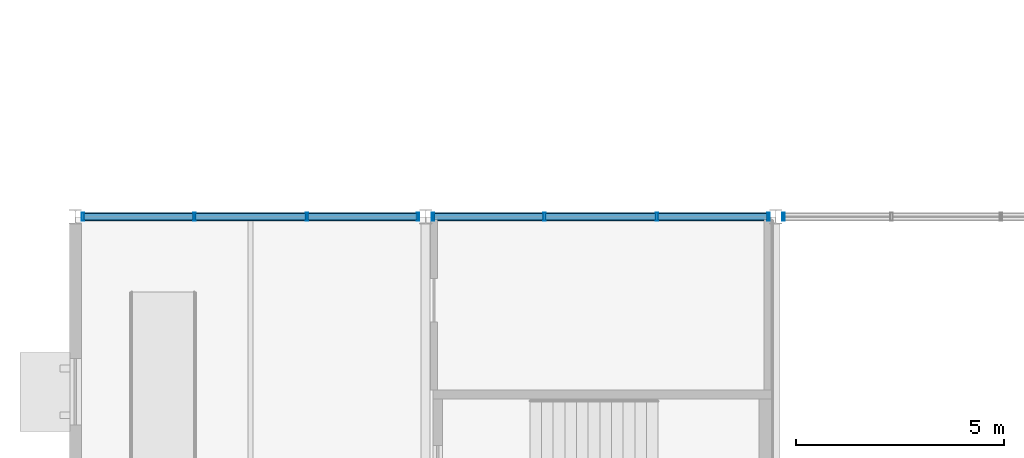
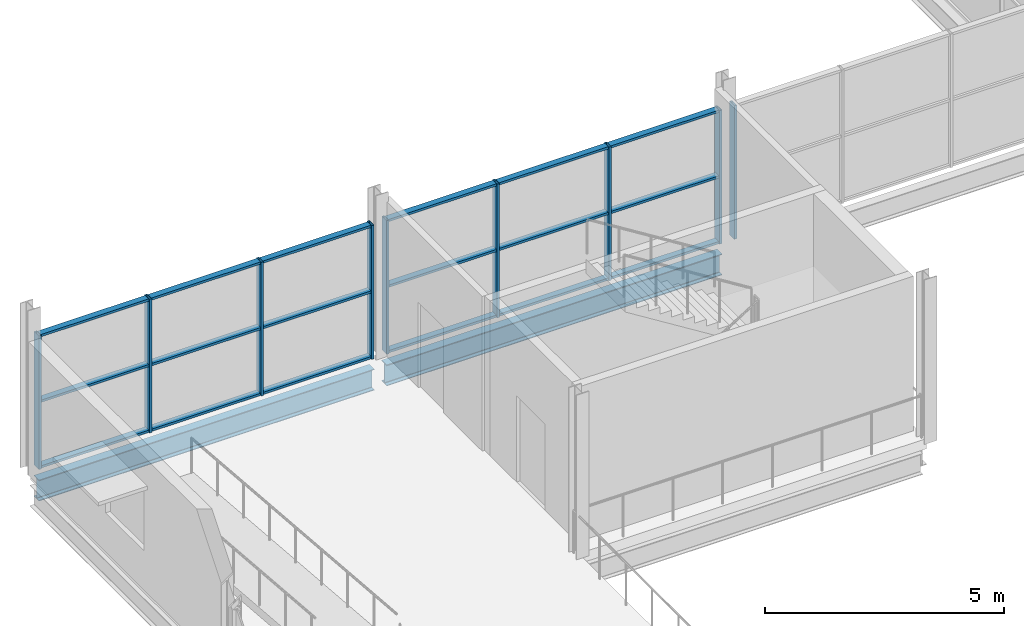
# One storey, part 34 of 93: 27 members, 2 beams, 3 elements without a shape of their own.
"""IFC4 building model written with IfcOpenShell, lengths in metres."""

from ifc_helpers import new_model, si_unit, direction, frame, origin, origin_2d, place, context, subcontext, project, spatial, hollow_rectangle, i_section, extrude, material, material_profile, profile_set, type_object, element, aggregate, save


model = new_model("IFC4")

# Units and contexts
model_context = context("Model", 3, precision=1e-05, world=origin(), true_north=direction((0.0, 1.0)))
body_context = subcontext(model_context, "Body", "Model", "MODEL_VIEW")
ifc_project = project(units=[si_unit("LENGTHUNIT", "METRE"), si_unit("AREAUNIT", "SQUARE_METRE"), si_unit("VOLUMEUNIT", "CUBIC_METRE"), si_unit("PLANEANGLEUNIT", "RADIAN"), si_unit("MASSUNIT", "GRAM", prefix="KILO"), si_unit("THERMODYNAMICTEMPERATUREUNIT", "KELVIN")], contexts=[model_context])

# Site, building, storey
site_placement = place(None, origin())
site = spatial("IfcSite", under=ifc_project, at=site_placement, CompositionType="ELEMENT")
building_placement = place(site_placement, origin())
building = spatial("IfcBuilding", under=site, at=building_placement, Name="Nduvali Passage Aquatics Centre", CompositionType="ELEMENT")
storey_placement = place(building_placement, frame((0.0, 0.0, 9.0)))
storey = spatial("IfcBuildingStorey", under=building, at=storey_placement, Name="L02", CompositionType="ELEMENT", Elevation=9.0)

# Curtain wall, members
ifc_material_1 = material(Name="Aluminium EN AW-6063 T6", Category="aluminium")
curtain_wall_type = type_object("IfcCurtainWallType", Name="ENV-CW-DIVE", PredefinedType="NOTDEFINED", material=ifc_material_1)
curtain_wall_1_placement = place(storey_placement, origin())
curtain_wall_1 = element("IfcCurtainWall", 1, at=curtain_wall_1_placement, inside=storey, type_object=curtain_wall_type, Name="L02 Diving Side Clerestory CW 156", PredefinedType="NOTDEFINED")
ifc_material_profile_1 = material_profile(ifc_material_1, hollow_rectangle(XDim=0.06005859375, YDim=0.199951171875, WallThickness=0.00390625, at=origin_2d()), Name="ALU MULLION 60x200x4")
ifc_profile_set_1 = profile_set([ifc_material_profile_1], Name="Aluminium EN AW-6063 T6")
member_type_1 = type_object("IfcMemberType", Name="ENV-MEM-MUL80", PredefinedType="MULLION", material=ifc_profile_set_1)
member_1_placement = place(storey_placement, frame((0.179931640625, 84.0, 0.0), z_axis=(0.0, 0.0, 1.0), x_axis=(1.0, 0.0, 0.0)))
member_1 = element("IfcMember", 2, at=member_1_placement, type_object=member_type_1, Name="Diving Side Clerestory CW Mullion 1", PredefinedType="MULLION", context=body_context, shape_type="SweptSolid", body=[
    extrude(hollow_rectangle(XDim=0.06005859375, YDim=0.199951171875, WallThickness=0.00390625, at=origin_2d()), origin(), (0.0, 0.0, 1.0), 3.412841796875),
])
member_2_placement = place(storey_placement, frame((2.85009765625, 84.0, 0.0), z_axis=(0.0, 0.0, 1.0), x_axis=(1.0, 0.0, 0.0)))
member_2 = element("IfcMember", 3, at=member_2_placement, type_object=member_type_1, Name="Diving Side Clerestory CW Mullion 2", PredefinedType="MULLION", context=body_context, shape_type="SweptSolid", body=[
    extrude(hollow_rectangle(XDim=0.06005859375, YDim=0.199951171875, WallThickness=0.00390625, at=origin_2d()), origin(), (0.0, 0.0, 1.0), 3.412841796875),
])
member_3_placement = place(storey_placement, frame((5.550048828125, 84.0, 0.0), z_axis=(0.0, 0.0, 1.0), x_axis=(1.0, 0.0, 0.0)))
member_3 = element("IfcMember", 4, at=member_3_placement, type_object=member_type_1, Name="Diving Side Clerestory CW Mullion 3", PredefinedType="MULLION", context=body_context, shape_type="SweptSolid", body=[
    extrude(hollow_rectangle(XDim=0.06005859375, YDim=0.199951171875, WallThickness=0.00390625, at=origin_2d()), origin(), (0.0, 0.0, 1.0), 3.412841796875),
])
member_4_placement = place(storey_placement, frame((8.219970703125, 84.0, 0.0), z_axis=(0.0, 0.0, 1.0), x_axis=(1.0, 0.0, 0.0)))
member_4 = element("IfcMember", 5, at=member_4_placement, type_object=member_type_1, Name="Diving Side Clerestory CW Mullion 4", PredefinedType="MULLION", context=body_context, shape_type="SweptSolid", body=[
    extrude(hollow_rectangle(XDim=0.06005859375, YDim=0.199951171875, WallThickness=0.00390625, at=origin_2d()), origin(), (0.0, 0.0, 1.0), 3.412841796875),
])

curtain_wall_2_placement = place(storey_placement, origin())
curtain_wall_2 = element("IfcCurtainWall", 6, at=curtain_wall_2_placement, inside=storey, type_object=curtain_wall_type, Name="L02 Diving Side Clerestory CW 158", PredefinedType="NOTDEFINED")
member_5_placement = place(storey_placement, frame((8.580078125, 84.0, 0.0), z_axis=(0.0, 0.0, 1.0), x_axis=(1.0, 0.0, 0.0)))
member_5 = element("IfcMember", 7, at=member_5_placement, type_object=member_type_1, Name="Diving Side Clerestory CW Mullion 1", PredefinedType="MULLION", context=body_context, shape_type="SweptSolid", body=[
    extrude(hollow_rectangle(XDim=0.06005859375, YDim=0.199951171875, WallThickness=0.00390625, at=origin_2d()), origin(), (0.0, 0.0, 1.0), 3.412841796875),
])
member_6_placement = place(storey_placement, frame((11.25, 84.0, 0.0), z_axis=(0.0, 0.0, 1.0), x_axis=(1.0, 0.0, 0.0)))
member_6 = element("IfcMember", 8, at=member_6_placement, type_object=member_type_1, Name="Diving Side Clerestory CW Mullion 2", PredefinedType="MULLION", context=body_context, shape_type="SweptSolid", body=[
    extrude(hollow_rectangle(XDim=0.06005859375, YDim=0.199951171875, WallThickness=0.00390625, at=origin_2d()), origin(), (0.0, 0.0, 1.0), 3.412841796875),
])
member_7_placement = place(storey_placement, frame((13.949951171875, 84.0, 0.0), z_axis=(0.0, 0.0, 1.0), x_axis=(1.0, 0.0, 0.0)))
member_7 = element("IfcMember", 9, at=member_7_placement, type_object=member_type_1, Name="Diving Side Clerestory CW Mullion 3", PredefinedType="MULLION", context=body_context, shape_type="SweptSolid", body=[
    extrude(hollow_rectangle(XDim=0.06005859375, YDim=0.199951171875, WallThickness=0.00390625, at=origin_2d()), origin(), (0.0, 0.0, 1.0), 3.412841796875),
])
member_8_placement = place(storey_placement, frame((16.6201171875, 84.0, 0.0), z_axis=(0.0, 0.0, 1.0), x_axis=(1.0, 0.0, 0.0)))
member_8 = element("IfcMember", 10, at=member_8_placement, type_object=member_type_1, Name="Diving Side Clerestory CW Mullion 4", PredefinedType="MULLION", context=body_context, shape_type="SweptSolid", body=[
    extrude(hollow_rectangle(XDim=0.06005859375, YDim=0.199951171875, WallThickness=0.00390625, at=origin_2d()), origin(), (0.0, 0.0, 1.0), 3.412841796875),
])

# Curtain wall, member
curtain_wall_3_placement = place(storey_placement, origin())
curtain_wall_3 = element("IfcCurtainWall", 11, at=curtain_wall_3_placement, inside=storey, type_object=curtain_wall_type, Name="L02 Diving Side Clerestory CW 160", PredefinedType="NOTDEFINED")
member_9_placement = place(storey_placement, frame((16.97998046875, 84.0, 0.0), z_axis=(0.0, 0.0, 1.0), x_axis=(1.0, 0.0, 0.0)))
member_9 = element("IfcMember", 12, at=member_9_placement, type_object=member_type_1, Name="Diving Side Clerestory CW Mullion 1", PredefinedType="MULLION", context=body_context, shape_type="SweptSolid", body=[
    extrude(hollow_rectangle(XDim=0.06005859375, YDim=0.199951171875, WallThickness=0.00390625, at=origin_2d()), origin(), (0.0, 0.0, 1.0), 3.412841796875),
])
aggregate(curtain_wall_3, [member_9])

# Member
ifc_material_profile_2 = material_profile(ifc_material_1, hollow_rectangle(XDim=0.14990234375, YDim=0.06005859375, WallThickness=0.00390625, at=origin_2d()), Name="ALU TRANSOM 150x60x4")
ifc_profile_set_2 = profile_set([ifc_material_profile_2], Name="Aluminium EN AW-6063 T6")
member_type_2 = type_object("IfcMemberType", Name="ENV-MEM-TRN80", PredefinedType="USERDEFINED", material=ifc_profile_set_2)
member_10_placement = place(storey_placement, frame((0.2099609375, 84.0, 0.030029296875), z_axis=(1.0, 0.0, 0.0), x_axis=(0.0, 1.0, 0.0)))
member_10 = element("IfcMember", 13, at=member_10_placement, type_object=member_type_2, Name="Diving Side Clerestory CW Transom B1-R0", ObjectType="TRANSOM", PredefinedType="USERDEFINED", context=body_context, shape_type="SweptSolid", body=[
    extrude(hollow_rectangle(XDim=0.14990234375, YDim=0.06005859375, WallThickness=0.00390625, at=origin_2d()), origin(), (0.0, 0.0, 1.0), 2.610107421875),
])

member_11_placement = place(storey_placement, frame((0.2099609375, 84.0, 1.706298828125), z_axis=(1.0, 0.0, 0.0), x_axis=(0.0, 1.0, 0.0)))
member_11 = element("IfcMember", 14, at=member_11_placement, type_object=member_type_2, Name="Diving Side Clerestory CW Transom B1-R1", ObjectType="TRANSOM", PredefinedType="USERDEFINED", context=body_context, shape_type="SweptSolid", body=[
    extrude(hollow_rectangle(XDim=0.14990234375, YDim=0.06005859375, WallThickness=0.00390625, at=origin_2d()), origin(), (0.0, 0.0, 1.0), 2.610107421875),
])

member_12_placement = place(storey_placement, frame((0.2099609375, 84.0, 3.3828125), z_axis=(1.0, 0.0, 0.0), x_axis=(0.0, 1.0, 0.0)))
member_12 = element("IfcMember", 15, at=member_12_placement, type_object=member_type_2, Name="Diving Side Clerestory CW Transom B1-R2", ObjectType="TRANSOM", PredefinedType="USERDEFINED", context=body_context, shape_type="SweptSolid", body=[
    extrude(hollow_rectangle(XDim=0.14990234375, YDim=0.06005859375, WallThickness=0.00390625, at=origin_2d()), origin(), (0.0, 0.0, 1.0), 2.610107421875),
])

member_13_placement = place(storey_placement, frame((2.8798828125, 84.0, 0.030029296875), z_axis=(1.0, 0.0, 0.0), x_axis=(0.0, 1.0, 0.0)))
member_13 = element("IfcMember", 16, at=member_13_placement, type_object=member_type_2, Name="Diving Side Clerestory CW Transom B2-R0", ObjectType="TRANSOM", PredefinedType="USERDEFINED", context=body_context, shape_type="SweptSolid", body=[
    extrude(hollow_rectangle(XDim=0.14990234375, YDim=0.06005859375, WallThickness=0.00390625, at=origin_2d()), origin(), (0.0, 0.0, 1.0), 2.64013671875),
])

member_14_placement = place(storey_placement, frame((2.8798828125, 84.0, 1.706298828125), z_axis=(1.0, 0.0, 0.0), x_axis=(0.0, 1.0, 0.0)))
member_14 = element("IfcMember", 17, at=member_14_placement, type_object=member_type_2, Name="Diving Side Clerestory CW Transom B2-R1", ObjectType="TRANSOM", PredefinedType="USERDEFINED", context=body_context, shape_type="SweptSolid", body=[
    extrude(hollow_rectangle(XDim=0.14990234375, YDim=0.06005859375, WallThickness=0.00390625, at=origin_2d()), origin(), (0.0, 0.0, 1.0), 2.64013671875),
])

member_15_placement = place(storey_placement, frame((2.8798828125, 84.0, 3.3828125), z_axis=(1.0, 0.0, 0.0), x_axis=(0.0, 1.0, 0.0)))
member_15 = element("IfcMember", 18, at=member_15_placement, type_object=member_type_2, Name="Diving Side Clerestory CW Transom B2-R2", ObjectType="TRANSOM", PredefinedType="USERDEFINED", context=body_context, shape_type="SweptSolid", body=[
    extrude(hollow_rectangle(XDim=0.14990234375, YDim=0.06005859375, WallThickness=0.00390625, at=origin_2d()), origin(), (0.0, 0.0, 1.0), 2.64013671875),
])

member_16_placement = place(storey_placement, frame((5.580078125, 84.0, 0.030029296875), z_axis=(1.0, 0.0, 0.0), x_axis=(0.0, 1.0, 0.0)))
member_16 = element("IfcMember", 19, at=member_16_placement, type_object=member_type_2, Name="Diving Side Clerestory CW Transom B3-R0", ObjectType="TRANSOM", PredefinedType="USERDEFINED", context=body_context, shape_type="SweptSolid", body=[
    extrude(hollow_rectangle(XDim=0.14990234375, YDim=0.06005859375, WallThickness=0.00390625, at=origin_2d()), origin(), (0.0, 0.0, 1.0), 2.60986328125),
])

member_17_placement = place(storey_placement, frame((5.580078125, 84.0, 1.706298828125), z_axis=(1.0, 0.0, 0.0), x_axis=(0.0, 1.0, 0.0)))
member_17 = element("IfcMember", 20, at=member_17_placement, type_object=member_type_2, Name="Diving Side Clerestory CW Transom B3-R1", ObjectType="TRANSOM", PredefinedType="USERDEFINED", context=body_context, shape_type="SweptSolid", body=[
    extrude(hollow_rectangle(XDim=0.14990234375, YDim=0.06005859375, WallThickness=0.00390625, at=origin_2d()), origin(), (0.0, 0.0, 1.0), 2.60986328125),
])

member_18_placement = place(storey_placement, frame((5.580078125, 84.0, 3.3828125), z_axis=(1.0, 0.0, 0.0), x_axis=(0.0, 1.0, 0.0)))
member_18 = element("IfcMember", 21, at=member_18_placement, type_object=member_type_2, Name="Diving Side Clerestory CW Transom B3-R2", ObjectType="TRANSOM", PredefinedType="USERDEFINED", context=body_context, shape_type="SweptSolid", body=[
    extrude(hollow_rectangle(XDim=0.14990234375, YDim=0.06005859375, WallThickness=0.00390625, at=origin_2d()), origin(), (0.0, 0.0, 1.0), 2.60986328125),
])

aggregate(curtain_wall_1, [member_1, member_2, member_3, member_4, member_10, member_11, member_12, member_13, member_14, member_15, member_16, member_17, member_18])

member_19_placement = place(storey_placement, frame((8.610107421875, 84.0, 0.030029296875), z_axis=(1.0, 0.0, 0.0), x_axis=(0.0, 1.0, 0.0)))
member_19 = element("IfcMember", 22, at=member_19_placement, type_object=member_type_2, Name="Diving Side Clerestory CW Transom B1-R0", ObjectType="TRANSOM", PredefinedType="USERDEFINED", context=body_context, shape_type="SweptSolid", body=[
    extrude(hollow_rectangle(XDim=0.14990234375, YDim=0.06005859375, WallThickness=0.00390625, at=origin_2d()), origin(), (0.0, 0.0, 1.0), 2.60986328125),
])

member_20_placement = place(storey_placement, frame((8.610107421875, 84.0, 1.706298828125), z_axis=(1.0, 0.0, 0.0), x_axis=(0.0, 1.0, 0.0)))
member_20 = element("IfcMember", 23, at=member_20_placement, type_object=member_type_2, Name="Diving Side Clerestory CW Transom B1-R1", ObjectType="TRANSOM", PredefinedType="USERDEFINED", context=body_context, shape_type="SweptSolid", body=[
    extrude(hollow_rectangle(XDim=0.14990234375, YDim=0.06005859375, WallThickness=0.00390625, at=origin_2d()), origin(), (0.0, 0.0, 1.0), 2.60986328125),
])

member_21_placement = place(storey_placement, frame((8.610107421875, 84.0, 3.3828125), z_axis=(1.0, 0.0, 0.0), x_axis=(0.0, 1.0, 0.0)))
member_21 = element("IfcMember", 24, at=member_21_placement, type_object=member_type_2, Name="Diving Side Clerestory CW Transom B1-R2", ObjectType="TRANSOM", PredefinedType="USERDEFINED", context=body_context, shape_type="SweptSolid", body=[
    extrude(hollow_rectangle(XDim=0.14990234375, YDim=0.06005859375, WallThickness=0.00390625, at=origin_2d()), origin(), (0.0, 0.0, 1.0), 2.60986328125),
])

member_22_placement = place(storey_placement, frame((11.280029296875, 84.0, 0.030029296875), z_axis=(1.0, 0.0, 0.0), x_axis=(0.0, 1.0, 0.0)))
member_22 = element("IfcMember", 25, at=member_22_placement, type_object=member_type_2, Name="Diving Side Clerestory CW Transom B2-R0", ObjectType="TRANSOM", PredefinedType="USERDEFINED", context=body_context, shape_type="SweptSolid", body=[
    extrude(hollow_rectangle(XDim=0.14990234375, YDim=0.06005859375, WallThickness=0.00390625, at=origin_2d()), origin(), (0.0, 0.0, 1.0), 2.639892578125),
])

member_23_placement = place(storey_placement, frame((11.280029296875, 84.0, 1.706298828125), z_axis=(1.0, 0.0, 0.0), x_axis=(0.0, 1.0, 0.0)))
member_23 = element("IfcMember", 26, at=member_23_placement, type_object=member_type_2, Name="Diving Side Clerestory CW Transom B2-R1", ObjectType="TRANSOM", PredefinedType="USERDEFINED", context=body_context, shape_type="SweptSolid", body=[
    extrude(hollow_rectangle(XDim=0.14990234375, YDim=0.06005859375, WallThickness=0.00390625, at=origin_2d()), origin(), (0.0, 0.0, 1.0), 2.639892578125),
])

member_24_placement = place(storey_placement, frame((11.280029296875, 84.0, 3.3828125), z_axis=(1.0, 0.0, 0.0), x_axis=(0.0, 1.0, 0.0)))
member_24 = element("IfcMember", 27, at=member_24_placement, type_object=member_type_2, Name="Diving Side Clerestory CW Transom B2-R2", ObjectType="TRANSOM", PredefinedType="USERDEFINED", context=body_context, shape_type="SweptSolid", body=[
    extrude(hollow_rectangle(XDim=0.14990234375, YDim=0.06005859375, WallThickness=0.00390625, at=origin_2d()), origin(), (0.0, 0.0, 1.0), 2.639892578125),
])

member_25_placement = place(storey_placement, frame((13.97998046875, 84.0, 0.030029296875), z_axis=(1.0, 0.0, 0.0), x_axis=(0.0, 1.0, 0.0)))
member_25 = element("IfcMember", 28, at=member_25_placement, type_object=member_type_2, Name="Diving Side Clerestory CW Transom B3-R0", ObjectType="TRANSOM", PredefinedType="USERDEFINED", context=body_context, shape_type="SweptSolid", body=[
    extrude(hollow_rectangle(XDim=0.14990234375, YDim=0.06005859375, WallThickness=0.00390625, at=origin_2d()), origin(), (0.0, 0.0, 1.0), 2.610107421875),
])

member_26_placement = place(storey_placement, frame((13.97998046875, 84.0, 1.706298828125), z_axis=(1.0, 0.0, 0.0), x_axis=(0.0, 1.0, 0.0)))
member_26 = element("IfcMember", 29, at=member_26_placement, type_object=member_type_2, Name="Diving Side Clerestory CW Transom B3-R1", ObjectType="TRANSOM", PredefinedType="USERDEFINED", context=body_context, shape_type="SweptSolid", body=[
    extrude(hollow_rectangle(XDim=0.14990234375, YDim=0.06005859375, WallThickness=0.00390625, at=origin_2d()), origin(), (0.0, 0.0, 1.0), 2.610107421875),
])

member_27_placement = place(storey_placement, frame((13.97998046875, 84.0, 3.3828125), z_axis=(1.0, 0.0, 0.0), x_axis=(0.0, 1.0, 0.0)))
member_27 = element("IfcMember", 30, at=member_27_placement, type_object=member_type_2, Name="Diving Side Clerestory CW Transom B3-R2", ObjectType="TRANSOM", PredefinedType="USERDEFINED", context=body_context, shape_type="SweptSolid", body=[
    extrude(hollow_rectangle(XDim=0.14990234375, YDim=0.06005859375, WallThickness=0.00390625, at=origin_2d()), origin(), (0.0, 0.0, 1.0), 2.610107421875),
])

aggregate(curtain_wall_2, [member_5, member_6, member_7, member_8, member_19, member_20, member_21, member_22, member_23, member_24, member_25, member_26, member_27])

# Beams
ifc_material_2 = material(Name="Steel S355", Category="steel")
ifc_material_profile_3 = material_profile(ifc_material_2, i_section(OverallWidth=0.210693359375, OverallDepth=0.53955078125, WebThickness=0.01171875, FlangeThickness=0.018798828125, FilletRadius=0.0126953125, at=origin_2d()), Name="UKB 533x210x109")
ifc_profile_set_3 = profile_set([ifc_material_profile_3], Name="Steel S355")
beam_type = type_object("IfcBeamType", Name="STR-BM-UKB533", PredefinedType="BEAM", material=ifc_profile_set_3)
beam_1_placement = place(storey_placement, frame((0.14990234375, 84.0, -0.53369140625), z_axis=(1.0, 0.0, 0.0), x_axis=(0.0, 1.0, 0.0)))
element("IfcBeam", 31, at=beam_1_placement, inside=storey, type_object=beam_type, Name="L02 Primary X-Girder B6-0911", PredefinedType="BEAM", context=body_context, shape_type="SweptSolid", body=[
    extrude(i_section(OverallWidth=0.210693359375, OverallDepth=0.53955078125, WebThickness=0.01171875, FlangeThickness=0.018798828125, FilletRadius=0.0126953125, at=origin_2d()), origin(), (0.0, 0.0, 1.0), 8.10009765625),
])
beam_2_placement = place(storey_placement, frame((8.550048828125, 84.0, -0.53369140625), z_axis=(1.0, 0.0, 0.0), x_axis=(0.0, 1.0, 0.0)))
element("IfcBeam", 32, at=beam_2_placement, inside=storey, type_object=beam_type, Name="L02 Primary X-Girder B6-0912", PredefinedType="BEAM", context=body_context, shape_type="SweptSolid", body=[
    extrude(i_section(OverallWidth=0.210693359375, OverallDepth=0.53955078125, WebThickness=0.01171875, FlangeThickness=0.018798828125, FilletRadius=0.0126953125, at=origin_2d()), origin(), (0.0, 0.0, 1.0), 8.099853515625),
])

save(model, "model.ifc")
